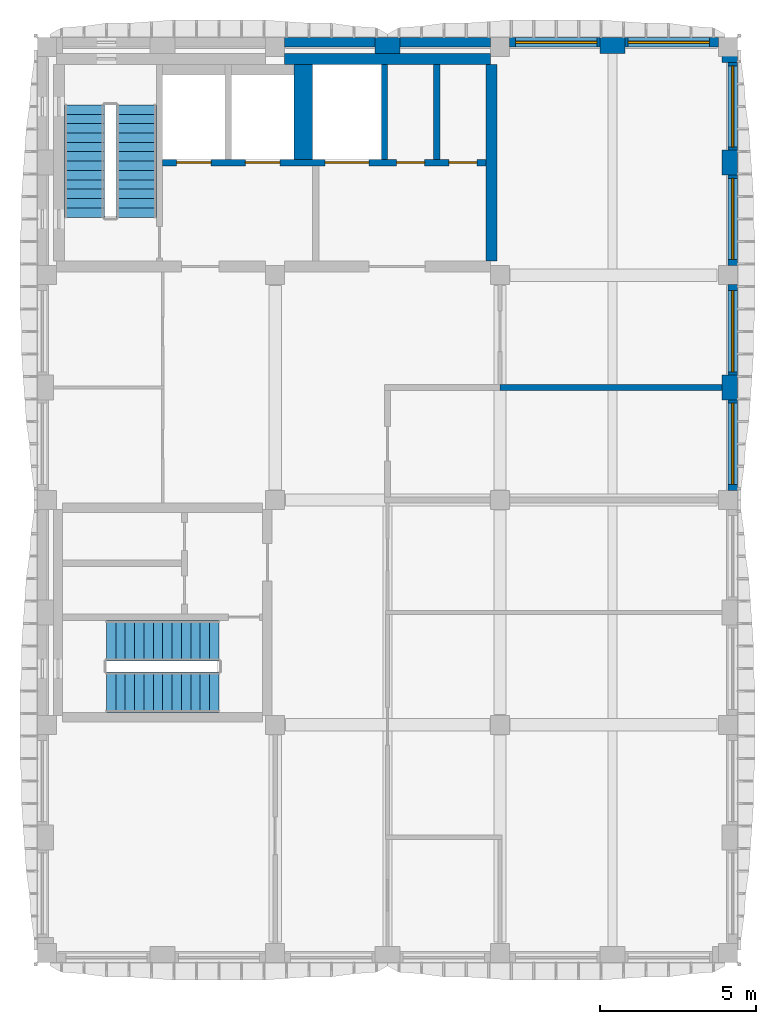
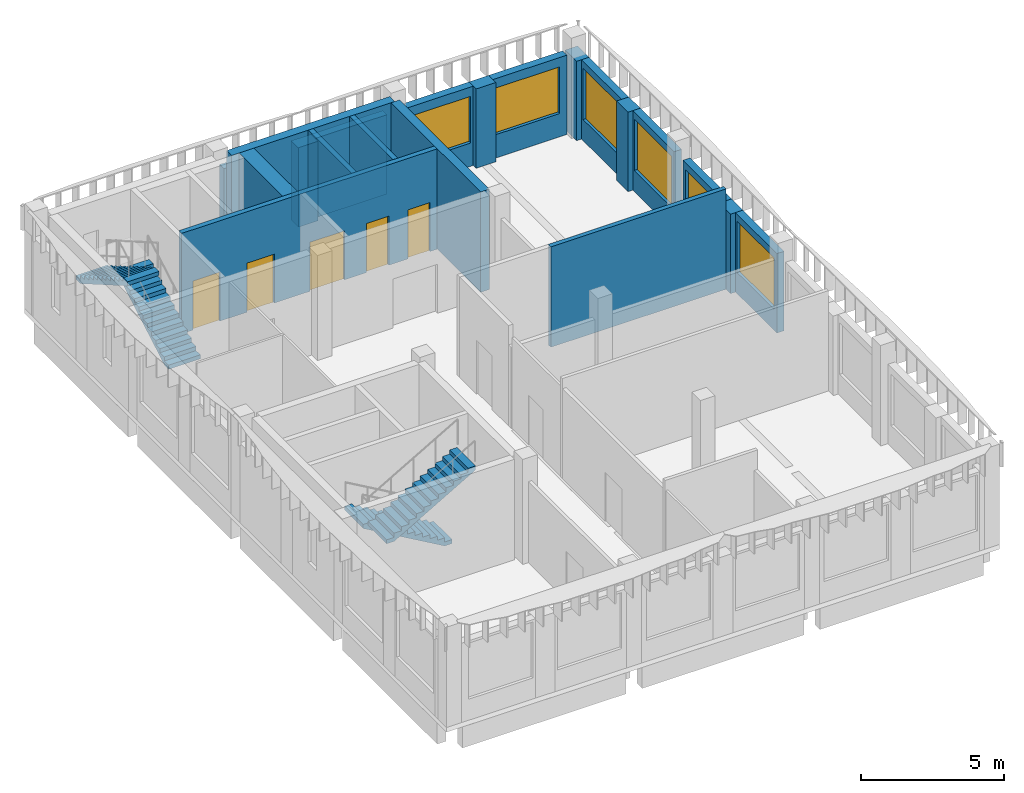
# One storey, part 4 of 10: 20 walls, 6 windows, 5 doors, 4 stair flights, 11 openings, 2 elements without a shape of their own.
"""IFC4 building model written with IfcOpenShell, lengths in metres."""

from ifc_helpers import new_model, si_unit, direction, frame, frame_2d, origin, place, context, subcontext, project, spatial, polyline, rectangle, outline, extrude, material, layer, layer_set, type_object, element, fill, aggregate, save


model = new_model("IFC4")

# Units and contexts
model_context = context("Model", 3, precision=1e-05, world=origin(), true_north=direction((0.0, 1.0)))
body_context = subcontext(model_context, "Body", "Model", "MODEL_VIEW")
ifc_project = project(units=[si_unit("LENGTHUNIT", "METRE"), si_unit("AREAUNIT", "SQUARE_METRE"), si_unit("VOLUMEUNIT", "CUBIC_METRE"), si_unit("PLANEANGLEUNIT", "RADIAN"), si_unit("MASSUNIT", "GRAM", prefix="KILO")], contexts=[model_context])

# Site, building, storey
site_placement = place(None, origin())
site = spatial("IfcSite", under=ifc_project, at=site_placement, CompositionType="ELEMENT")
building_placement = place(site_placement, origin())
building = spatial("IfcBuilding", under=site, at=building_placement, Name="Ussher Court Research Institute", CompositionType="ELEMENT")
storey_placement = place(building_placement, frame((0.0, 0.0, 36.89990234375)))
storey = spatial("IfcBuildingStorey", under=building, at=storey_placement, Name="L08", CompositionType="ELEMENT", Elevation=36.89990234375)

# Wall
ifc_material_1 = material(Name="Plasterboard on steel studs with mineral wool", Category="steel")
ifc_layer_1 = layer(ifc_material_1, 0.179931640625)
ifc_layer_set_1 = layer_set([ifc_layer_1], Name="Plasterboard on steel studs with mineral wool")
wall_type_1 = type_object("IfcWallType", Name="Acoustic twin-stud partition 180", PredefinedType="PARTITIONING", material=ifc_layer_set_1)
wall_1_placement = place(storey_placement, frame((96.60009765625, 22.0, 0.0), z_axis=(0.0, 0.0, 1.0), x_axis=(1.0, 0.0, 0.0)))
element("IfcWall", 1, at=wall_1_placement, inside=storey, type_object=wall_type_1, Name="Partition", PredefinedType="PARTITIONING", context=body_context, shape_type="SweptSolid", body=[
    extrude(rectangle(XDim=7.099853515625, YDim=0.179931640625, at=frame_2d((3.5498046875, 0.0))), origin(), (0.0, 0.0, 1.0), 4.300048828125),
])

# Wall, opening, window
ifc_material_2 = material(Name="Blockwork with cream render", Category="masonry")
ifc_layer_2 = layer(ifc_material_2, 0.300048828125)
ifc_layer_set_2 = layer_set([ifc_layer_2], Name="Blockwork with cream render")
wall_type_2 = type_object("IfcWallType", Name="External wall 300 cream render", PredefinedType="SOLIDWALL", material=ifc_layer_set_2)
wall_2_placement = place(storey_placement, frame((96.89990234375, 33.050048828125, 0.0), z_axis=(0.0, 0.0, 1.0), x_axis=(1.0, 0.0, 0.0)))
wall_2 = element("IfcWall", 2, at=wall_2_placement, inside=storey, type_object=wall_type_2, Name="External wall EW1 L08", PredefinedType="SOLIDWALL", context=body_context, shape_type="SweptSolid", body=[
    extrude(rectangle(XDim=2.900146484375, YDim=0.300048828125, at=frame_2d((1.4501953125, 0.0))), origin(), (0.0, 0.0, 1.0), 3.400146484375),
])
opening_1_placement = place(wall_2_placement, frame((0.199951171875, 0.0, 1.0)))
opening_1 = element("IfcOpeningElement", 3, at=opening_1_placement, cuts=wall_2, Name="Opening W15", PredefinedType="OPENING", context=body_context, shape_type="SweptSolid", body=[
    extrude(rectangle(XDim=2.60009765625, YDim=2.0, at=frame_2d((1.300048828125, 1.0))), frame((0.0, 0.16015625, 0.0), z_axis=(0.0, -1.0, 0.0), x_axis=(1.0, 0.0, 0.0)), (0.0, 0.0, 1.0), 0.320068359375),
])
ifc_material_3 = material(Name="Bronze anodised aluminium with double glazing", Category="aluminium")
window_type_1 = type_object("IfcWindowType", Name="Service side laboratory window 2600x2000", PartitioningType="DOUBLE_PANEL_VERTICAL", PredefinedType="WINDOW", material=ifc_material_3)
window_1_placement = place(opening_1_placement, origin())
window_1 = element("IfcWindow", 4, at=window_1_placement, inside=storey, type_object=window_type_1, Name="Window W15 L08", OverallHeight=2.0, OverallWidth=2.60009765625, PartitioningType="SINGLE_PANEL", PredefinedType="WINDOW", context=body_context, shape_type="SweptSolid", body=[
    extrude(rectangle(XDim=2.60009765625, YDim=2.0, at=frame_2d((1.300048828125, 1.0))), frame((0.0, 0.030029296875, 0.0), z_axis=(0.0, -1.0, 0.0), x_axis=(1.0, 0.0, 0.0)), (0.0, 0.0, 1.0), 0.06005859375),
])
fill(opening_1, window_1)

wall_3_placement = place(storey_placement, frame((100.60009765625, 33.050048828125, 0.0), z_axis=(0.0, 0.0, 1.0), x_axis=(1.0, 0.0, 0.0)))
wall_3 = element("IfcWall", 5, at=wall_3_placement, inside=storey, type_object=wall_type_2, Name="External wall EW1 L08", PredefinedType="SOLIDWALL", context=body_context, shape_type="SweptSolid", body=[
    extrude(rectangle(XDim=3.0, YDim=0.300048828125, at=frame_2d((1.5, 0.0))), origin(), (0.0, 0.0, 1.0), 3.400146484375),
])
opening_2_placement = place(wall_3_placement, frame((0.10009765625, 0.0, 1.0)))
opening_2 = element("IfcOpeningElement", 6, at=opening_2_placement, cuts=wall_3, Name="Opening W15", PredefinedType="OPENING", context=body_context, shape_type="SweptSolid", body=[
    extrude(rectangle(XDim=2.60009765625, YDim=2.0, at=frame_2d((1.300048828125, 1.0))), frame((0.0, 0.16015625, 0.0), z_axis=(0.0, -1.0, 0.0), x_axis=(1.0, 0.0, 0.0)), (0.0, 0.0, 1.0), 0.320068359375),
])
window_2_placement = place(opening_2_placement, origin())
window_2 = element("IfcWindow", 7, at=window_2_placement, inside=storey, type_object=window_type_1, Name="Window W15 L08", OverallHeight=2.0, OverallWidth=2.60009765625, PartitioningType="SINGLE_PANEL", PredefinedType="WINDOW", context=body_context, shape_type="SweptSolid", body=[
    extrude(rectangle(XDim=2.60009765625, YDim=2.0, at=frame_2d((1.300048828125, 1.0))), frame((0.0, 0.030029296875, 0.0), z_axis=(0.0, -1.0, 0.0), x_axis=(1.0, 0.0, 0.0)), (0.0, 0.0, 1.0), 0.06005859375),
])
fill(opening_2, window_2)

wall_4_placement = place(storey_placement, frame((104.050048828125, 32.39990234375, 0.0), z_axis=(0.0, 0.0, 1.0), x_axis=(0.0, -1.0, 0.0)))
wall_4 = element("IfcWall", 8, at=wall_4_placement, inside=storey, type_object=wall_type_2, Name="External wall EW1 L08", PredefinedType="SOLIDWALL", context=body_context, shape_type="SweptSolid", body=[
    extrude(rectangle(XDim=2.7998046875, YDim=0.300048828125, at=frame_2d((1.39990234375, 0.0))), origin(), (0.0, 0.0, 1.0), 3.400146484375),
])
opening_3_placement = place(wall_4_placement, frame((0.10009765625, 0.0, 0.89990234375)))
opening_3 = element("IfcOpeningElement", 9, at=opening_3_placement, cuts=wall_4, Name="Opening W13", PredefinedType="OPENING", context=body_context, shape_type="SweptSolid", body=[
    extrude(rectangle(XDim=2.60009765625, YDim=2.199951171875, at=frame_2d((1.300048828125, 1.10009765625))), frame((0.0, 0.16015625, 0.0), z_axis=(0.0, -1.0, 0.0), x_axis=(1.0, 0.0, 0.0)), (0.0, 0.0, 1.0), 0.320068359375),
])
ifc_material_4 = material(Name="Bronze anodised aluminium with double glazing", Category="aluminium")
window_type_2 = type_object("IfcWindowType", Name="East laboratory window 2600x2200", PartitioningType="DOUBLE_PANEL_VERTICAL", PredefinedType="WINDOW", material=ifc_material_4)
window_3_placement = place(opening_3_placement, origin())
window_3 = element("IfcWindow", 10, at=window_3_placement, inside=storey, type_object=window_type_2, Name="Window W13 L08", OverallHeight=2.199951171875, OverallWidth=2.60009765625, PartitioningType="SINGLE_PANEL", PredefinedType="WINDOW", context=body_context, shape_type="SweptSolid", body=[
    extrude(rectangle(XDim=2.60009765625, YDim=2.199951171875, at=frame_2d((1.300048828125, 1.10009765625))), frame((0.0, 0.030029296875, 0.0), z_axis=(0.0, -1.0, 0.0), x_axis=(1.0, 0.0, 0.0)), (0.0, 0.0, 1.0), 0.06005859375),
])
fill(opening_3, window_3)

wall_5_placement = place(storey_placement, frame((104.050048828125, 28.800048828125, 0.0), z_axis=(0.0, 0.0, 1.0), x_axis=(0.0, -1.0, 0.0)))
wall_5 = element("IfcWall", 11, at=wall_5_placement, inside=storey, type_object=wall_type_2, Name="External wall EW1 L08", PredefinedType="SOLIDWALL", context=body_context, shape_type="SweptSolid", body=[
    extrude(rectangle(XDim=2.900146484375, YDim=0.300048828125, at=frame_2d((1.4501953125, 0.0))), origin(), (0.0, 0.0, 1.0), 3.400146484375),
])
opening_4_placement = place(wall_5_placement, frame((0.10009765625, 0.0, 0.89990234375)))
opening_4 = element("IfcOpeningElement", 12, at=opening_4_placement, cuts=wall_5, Name="Opening W13", PredefinedType="OPENING", context=body_context, shape_type="SweptSolid", body=[
    extrude(rectangle(XDim=2.60009765625, YDim=2.199951171875, at=frame_2d((1.300048828125, 1.10009765625))), frame((0.0, 0.16015625, 0.0), z_axis=(0.0, -1.0, 0.0), x_axis=(1.0, 0.0, 0.0)), (0.0, 0.0, 1.0), 0.320068359375),
])
window_4_placement = place(opening_4_placement, origin())
window_4 = element("IfcWindow", 13, at=window_4_placement, inside=storey, type_object=window_type_2, Name="Window W13 L08", OverallHeight=2.199951171875, OverallWidth=2.60009765625, PartitioningType="SINGLE_PANEL", PredefinedType="WINDOW", context=body_context, shape_type="SweptSolid", body=[
    extrude(rectangle(XDim=2.60009765625, YDim=2.199951171875, at=frame_2d((1.300048828125, 1.10009765625))), frame((0.0, 0.030029296875, 0.0), z_axis=(0.0, -1.0, 0.0), x_axis=(1.0, 0.0, 0.0)), (0.0, 0.0, 1.0), 0.06005859375),
])
fill(opening_4, window_4)

wall_6_placement = place(storey_placement, frame((104.050048828125, 25.300048828125, 0.0), z_axis=(0.0, 0.0, 1.0), x_axis=(0.0, -1.0, 0.0)))
wall_6 = element("IfcWall", 14, at=wall_6_placement, inside=storey, type_object=wall_type_2, Name="External wall EW1 L08", PredefinedType="SOLIDWALL", context=body_context, shape_type="SweptSolid", body=[
    extrude(rectangle(XDim=2.900146484375, YDim=0.300048828125, at=frame_2d((1.4501953125, 0.0))), origin(), (0.0, 0.0, 1.0), 3.400146484375),
])
opening_5_placement = place(wall_6_placement, frame((0.199951171875, 0.0, 0.89990234375)))
opening_5 = element("IfcOpeningElement", 15, at=opening_5_placement, cuts=wall_6, Name="Opening W13", PredefinedType="OPENING", context=body_context, shape_type="SweptSolid", body=[
    extrude(rectangle(XDim=2.60009765625, YDim=2.199951171875, at=frame_2d((1.300048828125, 1.10009765625))), frame((0.0, 0.16015625, 0.0), z_axis=(0.0, -1.0, 0.0), x_axis=(1.0, 0.0, 0.0)), (0.0, 0.0, 1.0), 0.320068359375),
])
window_5_placement = place(opening_5_placement, origin())
window_5 = element("IfcWindow", 16, at=window_5_placement, inside=storey, type_object=window_type_2, Name="Window W13 L08", OverallHeight=2.199951171875, OverallWidth=2.60009765625, PartitioningType="SINGLE_PANEL", PredefinedType="WINDOW", context=body_context, shape_type="SweptSolid", body=[
    extrude(rectangle(XDim=2.60009765625, YDim=2.199951171875, at=frame_2d((1.300048828125, 1.10009765625))), frame((0.0, 0.030029296875, 0.0), z_axis=(0.0, -1.0, 0.0), x_axis=(1.0, 0.0, 0.0)), (0.0, 0.0, 1.0), 0.06005859375),
])
fill(opening_5, window_5)

wall_7_placement = place(storey_placement, frame((104.050048828125, 21.60009765625, 0.0), z_axis=(0.0, 0.0, 1.0), x_axis=(0.0, -1.0, 0.0)))
wall_7 = element("IfcWall", 17, at=wall_7_placement, inside=storey, type_object=wall_type_2, Name="External wall EW1 L08", PredefinedType="SOLIDWALL", context=body_context, shape_type="SweptSolid", body=[
    extrude(rectangle(XDim=2.900146484375, YDim=0.300048828125, at=frame_2d((1.4501953125, 0.0))), origin(), (0.0, 0.0, 1.0), 3.400146484375),
])
opening_6_placement = place(wall_7_placement, frame((0.10009765625, 0.0, 0.89990234375)))
opening_6 = element("IfcOpeningElement", 18, at=opening_6_placement, cuts=wall_7, Name="Opening W13", PredefinedType="OPENING", context=body_context, shape_type="SweptSolid", body=[
    extrude(rectangle(XDim=2.60009765625, YDim=2.199951171875, at=frame_2d((1.300048828125, 1.10009765625))), frame((0.0, 0.16015625, 0.0), z_axis=(0.0, -1.0, 0.0), x_axis=(1.0, 0.0, 0.0)), (0.0, 0.0, 1.0), 0.320068359375),
])
window_6_placement = place(opening_6_placement, origin())
window_6 = element("IfcWindow", 19, at=window_6_placement, inside=storey, type_object=window_type_2, Name="Window W13 L08", OverallHeight=2.199951171875, OverallWidth=2.60009765625, PartitioningType="SINGLE_PANEL", PredefinedType="WINDOW", context=body_context, shape_type="SweptSolid", body=[
    extrude(rectangle(XDim=2.60009765625, YDim=2.199951171875, at=frame_2d((1.300048828125, 1.10009765625))), frame((0.0, 0.030029296875, 0.0), z_axis=(0.0, -1.0, 0.0), x_axis=(1.0, 0.0, 0.0)), (0.0, 0.0, 1.0), 0.06005859375),
])
fill(opening_6, window_6)

# Walls
ifc_material_5 = material(Name="Limestone facing on blockwork", Category="masonry")
ifc_layer_3 = layer(ifc_material_5, 0.300048828125)
ifc_layer_set_3 = layer_set([ifc_layer_3], Name="Limestone facing on blockwork")
wall_type_3 = type_object("IfcWallType", Name="External wall 300 stair enclosure", PredefinedType="SOLIDWALL", material=ifc_layer_set_3)
for number, where, z_axis, x_axis, name in (
    (20, (89.699951171875, 33.050048828125, 0.0), (0.0, 0.0, 1.0), (1.0, 0.0, 0.0), "External wall EW5 L08"),
    (21, (93.39990234375, 33.050048828125, 0.0), (0.0, 0.0, 1.0), (1.0, 0.0, 0.0), "External wall EW5 L08"),
):
    element("IfcWall", number, at=place(storey_placement, frame(where, z_axis=z_axis, x_axis=x_axis)), inside=storey, type_object=wall_type_3, Name=name, PredefinedType="SOLIDWALL", context=body_context, shape_type="SweptSolid", body=[
        extrude(rectangle(XDim=2.900146484375, YDim=0.300048828125, at=frame_2d((1.4501953125, 0.0))), origin(), (0.0, 0.0, 1.0), 3.400146484375),
    ])
ifc_material_6 = material(Name="Blockwork with cream render", Category="masonry")
ifc_layer_4 = layer(ifc_material_6, 0.5)
ifc_layer_set_4 = layer_set([ifc_layer_4], Name="Blockwork with cream render")
wall_type_4 = type_object("IfcWallType", Name="Pier 800x500 cream render", PredefinedType="SOLIDWALL", material=ifc_layer_set_4)
wall_8_placement = place(storey_placement, frame((92.60009765625, 32.949951171875, 0.0), z_axis=(0.0, 0.0, 1.0), x_axis=(1.0, 0.0, 0.0)))
element("IfcWall", 22, at=wall_8_placement, inside=storey, type_object=wall_type_4, Name="Pier PR1 L08", PredefinedType="SOLIDWALL", context=body_context, shape_type="SweptSolid", body=[
    extrude(rectangle(XDim=0.7998046875, YDim=0.5, at=frame_2d((0.39990234375, 0.0))), origin(), (0.0, 0.0, 1.0), 3.400146484375),
])
for number, where, z_axis, x_axis, name in (
    (23, (99.800048828125, 32.949951171875, 0.0), (0.0, 0.0, 1.0), (1.0, 0.0, 0.0), "Pier PR1 L08"),
    (24, (103.949951171875, 33.199951171875, 0.0), (0.0, 0.0, 1.0), (0.0, -1.0, 0.0), "Pier PR1 L08"),
    (25, (103.949951171875, 29.60009765625, 0.0), (0.0, 0.0, 1.0), (0.0, -1.0, 0.0), "Pier PR1 L08"),
):
    element("IfcWall", number, at=place(storey_placement, frame(where, z_axis=z_axis, x_axis=x_axis)), inside=storey, type_object=wall_type_4, Name=name, PredefinedType="SOLIDWALL", context=body_context, shape_type="SweptSolid", body=[
        extrude(rectangle(XDim=0.800048828125, YDim=0.5, at=frame_2d((0.39990234375, 0.0))), origin(), (0.0, 0.0, 1.0), 3.400146484375),
    ])
wall_9_placement = place(storey_placement, frame((103.949951171875, 22.39990234375, 0.0), z_axis=(0.0, 0.0, 1.0), x_axis=(0.0, -1.0, 0.0)))
element("IfcWall", 26, at=wall_9_placement, inside=storey, type_object=wall_type_4, Name="Pier PR1 L08", PredefinedType="SOLIDWALL", context=body_context, shape_type="SweptSolid", body=[
    extrude(rectangle(XDim=0.7998046875, YDim=0.5, at=frame_2d((0.39990234375, 0.0))), origin(), (0.0, 0.0, 1.0), 3.400146484375),
])

# Wall, openings, doors
ifc_material_7 = material(Name="Concrete C35/45", Category="concrete")
ifc_layer_5 = layer(ifc_material_7, 0.199951171875)
ifc_layer_set_5 = layer_set([ifc_layer_5], Name="Concrete C35/45")
wall_type_5 = type_object("IfcWallType", Name="RC core wall 200", PredefinedType="SHEAR", material=ifc_layer_set_5)
wall_10_placement = place(storey_placement, frame((96.14990234375, 29.199951171875, 0.0), z_axis=(0.0, 0.0, 1.0), x_axis=(-1.0, 0.0, 0.0)))
wall_10 = element("IfcWall", 27, at=wall_10_placement, inside=storey, type_object=wall_type_5, Name="Core wall T1", PredefinedType="SHEAR", context=body_context, shape_type="SweptSolid", body=[
    extrude(rectangle(XDim=10.349853515625, YDim=0.199951171875, at=frame_2d((5.1748046875, 0.0))), origin(), (0.0, 0.0, 1.0), 4.300048828125),
])
opening_7_placement = place(wall_10_placement, frame((8.800048828125, 0.0, 0.0)))
opening_7 = element("IfcOpeningElement", 28, at=opening_7_placement, cuts=wall_10, Name="Opening LD74", PredefinedType="OPENING", context=body_context, shape_type="SweptSolid", body=[
    extrude(rectangle(XDim=1.10009765625, YDim=2.10009765625, at=frame_2d((0.550048828125, 1.050048828125))), frame((0.0, 0.10986328125, 0.0), z_axis=(0.0, -1.0, 0.0), x_axis=(1.0, 0.0, 0.0)), (0.0, 0.0, 1.0), 0.219970703125),
])
opening_8_placement = place(wall_10_placement, frame((6.60009765625, 0.0, 0.0)))
opening_8 = element("IfcOpeningElement", 29, at=opening_8_placement, cuts=wall_10, Name="Opening LD75", PredefinedType="OPENING", context=body_context, shape_type="SweptSolid", body=[
    extrude(rectangle(XDim=1.10009765625, YDim=2.10009765625, at=frame_2d((0.550048828125, 1.050048828125))), frame((0.0, 0.10986328125, 0.0), z_axis=(0.0, -1.0, 0.0), x_axis=(1.0, 0.0, 0.0)), (0.0, 0.0, 1.0), 0.219970703125),
])
opening_9_placement = place(wall_10_placement, frame((3.75, 0.0, 0.0)))
opening_9 = element("IfcOpeningElement", 30, at=opening_9_placement, cuts=wall_10, Name="Opening LD76", PredefinedType="OPENING", context=body_context, shape_type="SweptSolid", body=[
    extrude(rectangle(XDim=1.39990234375, YDim=2.10009765625, at=frame_2d((0.699951171875, 1.050048828125))), frame((0.0, 0.10986328125, 0.0), z_axis=(0.0, -1.0, 0.0), x_axis=(1.0, 0.0, 0.0)), (0.0, 0.0, 1.0), 0.219970703125),
])
opening_10_placement = place(wall_10_placement, frame((1.96240234375, 0.0, 0.0)))
opening_10 = element("IfcOpeningElement", 31, at=opening_10_placement, cuts=wall_10, Name="Opening D08015", PredefinedType="OPENING", context=body_context, shape_type="SweptSolid", body=[
    extrude(rectangle(XDim=0.89990234375, YDim=2.10009765625, at=frame_2d((0.449951171875, 1.050048828125))), frame((0.0, 0.10986328125, 0.0), z_axis=(0.0, -1.0, 0.0), x_axis=(1.0, 0.0, 0.0)), (0.0, 0.0, 1.0), 0.219970703125),
])
opening_11_placement = place(wall_10_placement, frame((0.28759765625, 0.0, 0.0)))
opening_11 = element("IfcOpeningElement", 32, at=opening_11_placement, cuts=wall_10, Name="Opening D08016", PredefinedType="OPENING", context=body_context, shape_type="SweptSolid", body=[
    extrude(rectangle(XDim=0.89990234375, YDim=2.10009765625, at=frame_2d((0.449951171875, 1.050048828125))), frame((0.0, 0.10986328125, 0.0), z_axis=(0.0, -1.0, 0.0), x_axis=(1.0, 0.0, 0.0)), (0.0, 0.0, 1.0), 0.219970703125),
])
ifc_material_8 = material(Name="Painted steel faced fire door", Category="steel")
door_type_1 = type_object("IfcDoorType", Name="Fire door 900x2100 FD60", OperationType="NOTDEFINED", PredefinedType="DOOR", material=ifc_material_8)
door_1_placement = place(opening_10_placement, origin())
door_1 = element("IfcDoor", 33, at=door_1_placement, inside=storey, type_object=door_type_1, Name="Door D08015", OperationType="SINGLE_SWING_LEFT", OverallHeight=2.10009765625, OverallWidth=0.89990234375, PredefinedType="DOOR", context=body_context, shape_type="SweptSolid", body=[
    extrude(rectangle(XDim=0.89990234375, YDim=2.10009765625, at=frame_2d((0.449951171875, 1.050048828125))), frame((0.0, 0.02490234375, 0.0), z_axis=(0.0, -1.0, 0.0), x_axis=(1.0, 0.0, 0.0)), (0.0, 0.0, 1.0), 0.050048828125),
])
fill(opening_10, door_1)
door_2_placement = place(opening_11_placement, origin())
door_2 = element("IfcDoor", 34, at=door_2_placement, inside=storey, type_object=door_type_1, Name="Door D08016", OperationType="SINGLE_SWING_LEFT", OverallHeight=2.10009765625, OverallWidth=0.89990234375, PredefinedType="DOOR", context=body_context, shape_type="SweptSolid", body=[
    extrude(rectangle(XDim=0.89990234375, YDim=2.10009765625, at=frame_2d((0.449951171875, 1.050048828125))), frame((0.0, 0.02490234375, 0.0), z_axis=(0.0, -1.0, 0.0), x_axis=(1.0, 0.0, 0.0)), (0.0, 0.0, 1.0), 0.050048828125),
])
fill(opening_11, door_2)
ifc_material_9 = material(Name="Stainless steel lift door", Category="steel")
door_type_2 = type_object("IfcDoorType", Name="Lift landing door 1100x2100 sliding", OperationType="DOUBLE_DOOR_SLIDING", PredefinedType="DOOR", material=ifc_material_9)
door_3_placement = place(opening_7_placement, origin())
door_3 = element("IfcDoor", 35, at=door_3_placement, inside=storey, type_object=door_type_2, Name="Landing door T1-1 L08", OperationType="DOUBLE_DOOR_SLIDING", OverallHeight=2.10009765625, OverallWidth=1.10009765625, PredefinedType="DOOR", context=body_context, shape_type="SweptSolid", body=[
    extrude(rectangle(XDim=1.10009765625, YDim=2.10009765625, at=frame_2d((0.550048828125, 1.050048828125))), frame((0.0, 0.02490234375, 0.0), z_axis=(0.0, -1.0, 0.0), x_axis=(1.0, 0.0, 0.0)), (0.0, 0.0, 1.0), 0.050048828125),
])
fill(opening_7, door_3)
door_4_placement = place(opening_8_placement, origin())
door_4 = element("IfcDoor", 36, at=door_4_placement, inside=storey, type_object=door_type_2, Name="Landing door T1-2 L08", OperationType="DOUBLE_DOOR_SLIDING", OverallHeight=2.10009765625, OverallWidth=1.10009765625, PredefinedType="DOOR", context=body_context, shape_type="SweptSolid", body=[
    extrude(rectangle(XDim=1.10009765625, YDim=2.10009765625, at=frame_2d((0.550048828125, 1.050048828125))), frame((0.0, 0.02490234375, 0.0), z_axis=(0.0, -1.0, 0.0), x_axis=(1.0, 0.0, 0.0)), (0.0, 0.0, 1.0), 0.050048828125),
])
fill(opening_8, door_4)
ifc_material_10 = material(Name="Stainless steel lift door", Category="steel")
door_type_3 = type_object("IfcDoorType", Name="Lift landing door 1400x2100 sliding", OperationType="DOUBLE_DOOR_SLIDING", PredefinedType="DOOR", material=ifc_material_10)
door_5_placement = place(opening_9_placement, origin())
door_5 = element("IfcDoor", 37, at=door_5_placement, inside=storey, type_object=door_type_3, Name="Landing door T1-3 L08", OperationType="DOUBLE_DOOR_SLIDING", OverallHeight=2.10009765625, OverallWidth=1.39990234375, PredefinedType="DOOR", context=body_context, shape_type="SweptSolid", body=[
    extrude(rectangle(XDim=1.39990234375, YDim=2.10009765625, at=frame_2d((0.699951171875, 1.050048828125))), frame((0.0, 0.02490234375, 0.0), z_axis=(0.0, -1.0, 0.0), x_axis=(1.0, 0.0, 0.0)), (0.0, 0.0, 1.0), 0.050048828125),
])
fill(opening_9, door_5)

# Walls
for number, where, z_axis, x_axis, name in (
    (38, (92.89990234375, 29.300048828125, 0.0), (0.0, 0.0, 1.0), (0.0, 1.0, 0.0), "Core wall T1"),
    (39, (94.574951171875, 29.300048828125, 0.0), (0.0, 0.0, 1.0), (0.0, 1.0, 0.0), "Core wall T1"),
):
    element("IfcWall", number, at=place(storey_placement, frame(where, z_axis=z_axis, x_axis=x_axis)), inside=storey, type_object=wall_type_5, Name=name, PredefinedType="SHEAR", context=body_context, shape_type="SweptSolid", body=[
        extrude(rectangle(XDim=3.050048828125, YDim=0.199951171875, at=frame_2d((1.52490234375, 0.0))), origin(), (0.0, 0.0, 1.0), 4.300048828125),
    ])
ifc_material_11 = material(Name="Concrete C35/45", Category="concrete")
ifc_layer_6 = layer(ifc_material_11, 0.35009765625)
ifc_layer_set_6 = layer_set([ifc_layer_6], Name="Concrete C35/45")
wall_type_6 = type_object("IfcWallType", Name="RC core wall 350", PredefinedType="SHEAR", material=ifc_layer_set_6)
wall_11_placement = place(storey_placement, frame((89.699951171875, 32.52490234375, 0.0), z_axis=(0.0, 0.0, 1.0), x_axis=(1.0, 0.0, 0.0)))
element("IfcWall", 40, at=wall_11_placement, inside=storey, type_object=wall_type_6, Name="Core wall T1", PredefinedType="SHEAR", context=body_context, shape_type="SweptSolid", body=[
    extrude(rectangle(XDim=6.60009765625, YDim=0.35009765625, at=frame_2d((3.300048828125, 0.0))), origin(), (0.0, 0.0, 1.0), 4.300048828125),
])
wall_12_placement = place(storey_placement, frame((96.324951171875, 26.050048828125, 0.0), z_axis=(0.0, 0.0, 1.0), x_axis=(0.0, 1.0, 0.0)))
element("IfcWall", 41, at=wall_12_placement, inside=storey, type_object=wall_type_6, Name="Core wall T1", PredefinedType="SHEAR", context=body_context, shape_type="SweptSolid", body=[
    extrude(rectangle(XDim=6.300048828125, YDim=0.35009765625, at=frame_2d((3.14990234375, 0.0))), origin(), (0.0, 0.0, 1.0), 4.300048828125),
])
ifc_material_12 = material(Name="Concrete C35/45", Category="concrete")
ifc_layer_7 = layer(ifc_material_12, 0.60009765625)
ifc_layer_set_7 = layer_set([ifc_layer_7], Name="Concrete C35/45")
wall_type_7 = type_object("IfcWallType", Name="RC core wall 600", PredefinedType="SHEAR", material=ifc_layer_set_7)
wall_13_placement = place(storey_placement, frame((90.300048828125, 29.300048828125, 0.0), z_axis=(0.0, 0.0, 1.0), x_axis=(0.0, 1.0, 0.0)))
element("IfcWall", 42, at=wall_13_placement, inside=storey, type_object=wall_type_7, Name="Core wall T1", PredefinedType="SHEAR", context=body_context, shape_type="SweptSolid", body=[
    extrude(rectangle(XDim=3.050048828125, YDim=0.60009765625, at=frame_2d((1.52490234375, 0.0))), origin(), (0.0, 0.0, 1.0), 4.300048828125),
])

# Stair, stair flights
ifc_material_13 = material(Name="Concrete C35/45", Category="concrete")
stair_type_1 = type_object("IfcStairType", Name="Core stair 26 risers 173 mm x 300 going 1280 wide", PredefinedType="HALF_TURN_STAIR", material=ifc_material_13)
stair_1_placement = place(storey_placement, origin())
stair_1 = element("IfcStair", 43, at=stair_1_placement, inside=storey, type_object=stair_type_1, Name="L08 Stair T1", PredefinedType="HALF_TURN_STAIR")
ifc_material_14 = material(Name="Concrete C35/45", Category="concrete")
stair_flight_type_1 = type_object("IfcStairFlightType", Name="Stair flight 13 risers 1280 RC", PredefinedType="STRAIGHT", material=ifc_material_14)
stair_flight_1_placement = place(storey_placement, frame((84.9599609375, 27.449951171875, 0.0), z_axis=(0.0, 0.0, 1.0), x_axis=(0.0, 1.0, 0.0)))
stair_flight_1 = element("IfcStairFlight", 44, at=stair_flight_1_placement, type_object=stair_flight_type_1, Name="T1 flight 1", NumberOfRisers=13, NumberOfTreads=12, PredefinedType="STRAIGHT", RiserHeight=0.173076923, TreadLength=0.3, context=body_context, shape_type="SweptSolid", body=[
    extrude(outline(polyline([(0.0, 0.0), (0.0, 0.173095703125), (0.300048828125, 0.173095703125), (0.300048828125, 0.34619140625), (0.60009765625, 0.34619140625), (0.60009765625, 0.519287109375), (0.89990234375, 0.519287109375), (0.89990234375, 0.6923828125), (1.199951171875, 0.6923828125), (1.199951171875, 0.865478515625), (1.5, 0.865478515625), (1.5, 1.03857421875), (1.800048828125, 1.03857421875), (1.800048828125, 1.21142578125), (2.10009765625, 1.21142578125), (2.10009765625, 1.384521484375), (2.39990234375, 1.384521484375), (2.39990234375, 1.5576171875), (2.699951171875, 1.5576171875), (2.699951171875, 1.730712890625), (3.0, 1.730712890625), (3.0, 1.90380859375), (3.300048828125, 1.90380859375), (3.300048828125, 2.076904296875), (3.60009765625, 2.076904296875), (3.60009765625, 2.25), (3.60009765625, 1.90380859375), (0.300048828125, 0.0), (0.0, 0.0)])), frame((0.0, 0.64013671875, 0.0), z_axis=(0.0, -1.0, 0.0), x_axis=(1.0, 0.0, 0.0)), (0.0, 0.0, 1.0), 1.280029296875),
])
stair_flight_2_placement = place(storey_placement, frame((83.2900390625, 31.050048828125, 2.25), z_axis=(0.0, 0.0, 1.0), x_axis=(0.0, -1.0, 0.0)))
stair_flight_2 = element("IfcStairFlight", 45, at=stair_flight_2_placement, type_object=stair_flight_type_1, Name="T1 flight 2", NumberOfRisers=13, NumberOfTreads=12, PredefinedType="STRAIGHT", RiserHeight=0.173076923, TreadLength=0.3, context=body_context, shape_type="SweptSolid", body=[
    extrude(outline(polyline([(0.0, 0.0), (0.0, 0.173095703125), (0.300048828125, 0.173095703125), (0.300048828125, 0.34619140625), (0.60009765625, 0.34619140625), (0.60009765625, 0.519287109375), (0.89990234375, 0.519287109375), (0.89990234375, 0.6923828125), (1.199951171875, 0.6923828125), (1.199951171875, 0.865478515625), (1.5, 0.865478515625), (1.5, 1.03857421875), (1.800048828125, 1.03857421875), (1.800048828125, 1.21142578125), (2.10009765625, 1.21142578125), (2.10009765625, 1.384521484375), (2.39990234375, 1.384521484375), (2.39990234375, 1.5576171875), (2.699951171875, 1.5576171875), (2.699951171875, 1.730712890625), (3.0, 1.730712890625), (3.0, 1.90380859375), (3.300048828125, 1.90380859375), (3.300048828125, 2.076904296875), (3.60009765625, 2.076904296875), (3.60009765625, 2.25), (3.60009765625, 1.90380859375), (0.300048828125, 0.0), (0.0, 0.0)])), frame((0.0, 0.64013671875, 0.0), z_axis=(0.0, -1.0, 0.0), x_axis=(1.0, 0.0, 0.0)), (0.0, 0.0, 1.0), 1.280029296875),
])
aggregate(stair_1, [stair_flight_1, stair_flight_2])

ifc_material_15 = material(Name="Concrete C35/45", Category="concrete")
stair_type_2 = type_object("IfcStairType", Name="Core stair 26 risers 173 mm x 300 going 1300 wide", PredefinedType="HALF_TURN_STAIR", material=ifc_material_15)
stair_2_placement = place(storey_placement, origin())
stair_2 = element("IfcStair", 46, at=stair_2_placement, inside=storey, type_object=stair_type_2, Name="L08 Stair T2", PredefinedType="HALF_TURN_STAIR")
ifc_material_16 = material(Name="Concrete C35/45", Category="concrete")
stair_flight_type_2 = type_object("IfcStairFlightType", Name="Stair flight 13 risers 1300 RC", PredefinedType="STRAIGHT", material=ifc_material_16)
stair_flight_3_placement = place(storey_placement, frame((87.60009765625, 13.89990234375, 0.0), z_axis=(0.0, 0.0, 1.0), x_axis=(-1.0, 0.0, 0.0)))
stair_flight_3 = element("IfcStairFlight", 47, at=stair_flight_3_placement, type_object=stair_flight_type_2, Name="T2 flight 1", NumberOfRisers=13, NumberOfTreads=12, PredefinedType="STRAIGHT", RiserHeight=0.173076923, TreadLength=0.3, context=body_context, shape_type="SweptSolid", body=[
    extrude(outline(polyline([(0.0, 0.0), (0.0, 0.173095703125), (0.300048828125, 0.173095703125), (0.300048828125, 0.34619140625), (0.60009765625, 0.34619140625), (0.60009765625, 0.519287109375), (0.89990234375, 0.519287109375), (0.89990234375, 0.6923828125), (1.199951171875, 0.6923828125), (1.199951171875, 0.865478515625), (1.5, 0.865478515625), (1.5, 1.03857421875), (1.800048828125, 1.03857421875), (1.800048828125, 1.21142578125), (2.10009765625, 1.21142578125), (2.10009765625, 1.384521484375), (2.39990234375, 1.384521484375), (2.39990234375, 1.5576171875), (2.699951171875, 1.5576171875), (2.699951171875, 1.730712890625), (3.0, 1.730712890625), (3.0, 1.90380859375), (3.300048828125, 1.90380859375), (3.300048828125, 2.076904296875), (3.60009765625, 2.076904296875), (3.60009765625, 2.25), (3.60009765625, 1.90380859375), (0.300048828125, 0.0), (0.0, 0.0)])), frame((0.0, 0.64990234375, 0.0), z_axis=(0.0, -1.0, 0.0), x_axis=(1.0, 0.0, 0.0)), (0.0, 0.0, 1.0), 1.300048828125),
])
stair_flight_4_placement = place(storey_placement, frame((84.0, 12.25, 2.25), z_axis=(0.0, 0.0, 1.0), x_axis=(1.0, 0.0, 0.0)))
stair_flight_4 = element("IfcStairFlight", 48, at=stair_flight_4_placement, type_object=stair_flight_type_2, Name="T2 flight 2", NumberOfRisers=13, NumberOfTreads=12, PredefinedType="STRAIGHT", RiserHeight=0.173076923, TreadLength=0.3, context=body_context, shape_type="SweptSolid", body=[
    extrude(outline(polyline([(0.0, 0.0), (0.0, 0.173095703125), (0.300048828125, 0.173095703125), (0.300048828125, 0.34619140625), (0.60009765625, 0.34619140625), (0.60009765625, 0.519287109375), (0.89990234375, 0.519287109375), (0.89990234375, 0.6923828125), (1.199951171875, 0.6923828125), (1.199951171875, 0.865478515625), (1.5, 0.865478515625), (1.5, 1.03857421875), (1.800048828125, 1.03857421875), (1.800048828125, 1.21142578125), (2.10009765625, 1.21142578125), (2.10009765625, 1.384521484375), (2.39990234375, 1.384521484375), (2.39990234375, 1.5576171875), (2.699951171875, 1.5576171875), (2.699951171875, 1.730712890625), (3.0, 1.730712890625), (3.0, 1.90380859375), (3.300048828125, 1.90380859375), (3.300048828125, 2.076904296875), (3.60009765625, 2.076904296875), (3.60009765625, 2.25), (3.60009765625, 1.90380859375), (0.300048828125, 0.0), (0.0, 0.0)])), frame((0.0, 0.64990234375, 0.0), z_axis=(0.0, -1.0, 0.0), x_axis=(1.0, 0.0, 0.0)), (0.0, 0.0, 1.0), 1.300048828125),
])
aggregate(stair_2, [stair_flight_3, stair_flight_4])

save(model, "model.ifc")
